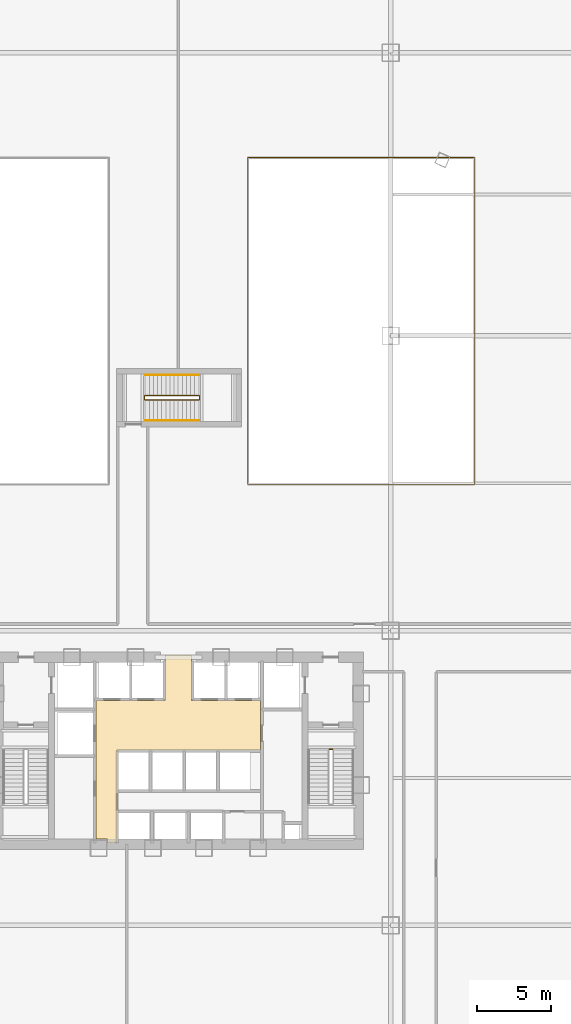
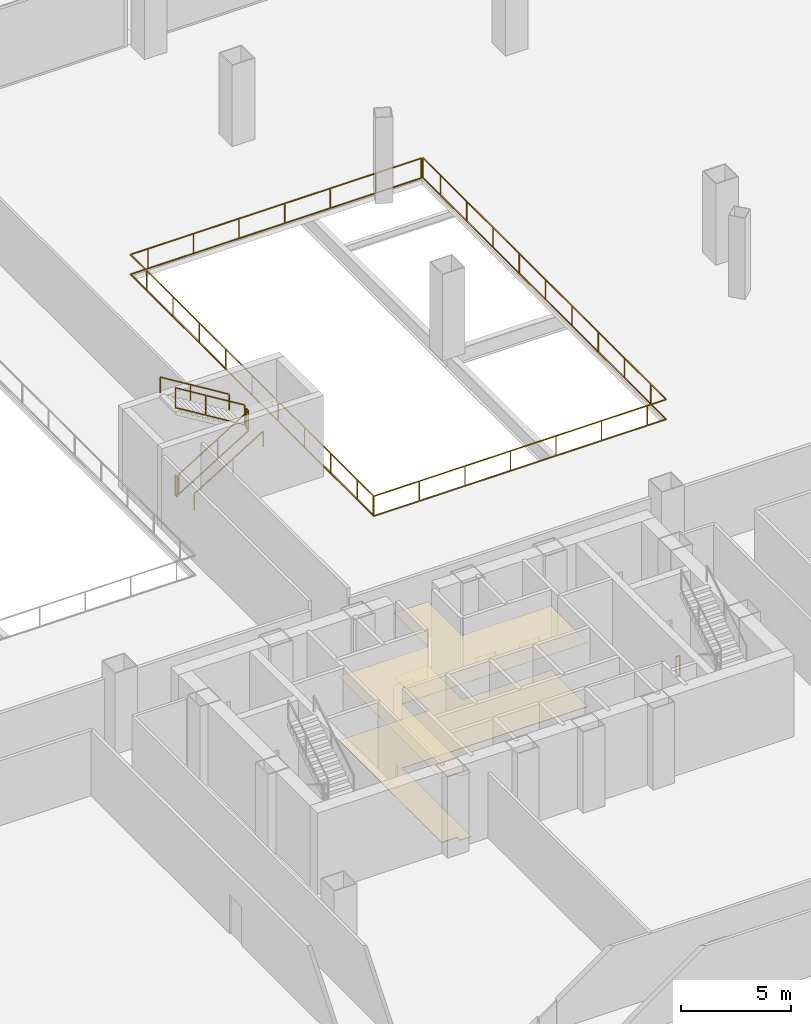
# One storey, part 40 of 42: 9 railings, 2 coverings.
"""IFC4 building model written with IfcOpenShell, lengths in metres."""

import ifcopenshell
import ifcopenshell.guid

model = None  # the IFC model being written
_history = None  # IfcOwnerHistory: only IFC2X3 demands one
_inside = {}  # id of a spatial element -> (the spatial element, [elements in it])
_under = {}  # id of a project, library or spatial element -> (it, [spatial elements below it])
_declared = {}  # id of a project -> (the project, [libraries it declares])
_typed = {}  # id of a type object -> (the type object, [elements of that type])
_made_of = {}  # id of a material, layer set ... -> (it, [elements and type objects made of it])


def new_model(schema):
    """Start an empty IFC model of exactly this schema.

    Asked for "IFC4X3", IfcOpenShell would pick the latest addendum, in which some entities
    have other attributes; the version numbers below select the first issue.
    IFC2X3 requires an IfcOwnerHistory on every rooted entity: one is made here for all.
    """
    global model, _history
    if schema == "IFC4X3":
        model = ifcopenshell.file(schema_version=(4, 3, 0, 0))
    else:
        model = ifcopenshell.file(schema=schema)
    _inside.clear()
    _under.clear()
    _declared.clear()
    _typed.clear()
    _made_of.clear()
    _history = None
    if model.schema == "IFC2X3":
        org = make("IfcOrganization", Name="unknown")
        user = make(
            "IfcPersonAndOrganization",
            ThePerson=make("IfcPerson", FamilyName="unknown"),
            TheOrganization=org,
        )
        app = make(
            "IfcApplication",
            ApplicationDeveloper=org,
            Version="unknown",
            ApplicationFullName="unknown",
            ApplicationIdentifier="unknown",
        )
        _history = make(
            "IfcOwnerHistory",
            OwningUser=user,
            OwningApplication=app,
            ChangeAction="ADDED",
            CreationDate=0,
        )
    return model


def make(cls, **values):
    """One entity of the class cls with the attributes given. An attribute that is None is left unset."""
    return model.create_entity(
        cls, **{name: value for name, value in values.items() if value is not None}
    )


def rooted(cls, **values):
    """An entity with a GlobalId (a new one), such as an element, a storey or a relation."""
    return make(cls, GlobalId=ifcopenshell.guid.new(), OwnerHistory=_history, **values)


def si_unit(unit_type, name, prefix=None):
    """IfcSIUnit, for example si_unit("LENGTHUNIT", "METRE", prefix="MILLI")."""
    return make("IfcSIUnit", UnitType=unit_type, Prefix=prefix, Name=name)


def assignment(units):
    """IfcUnitAssignment: the units of a project."""
    return None if units is None else make("IfcUnitAssignment", Units=units)


def point(xyz):
    """IfcCartesianPoint."""
    return None if xyz is None else make("IfcCartesianPoint", Coordinates=xyz)


def direction(xyz):
    """IfcDirection."""
    return None if xyz is None else make("IfcDirection", DirectionRatios=xyz)


def frame(location, z_axis=None, x_axis=None):
    """IfcAxis2Placement3D, a coordinate frame: its origin and axes. An axis left out is left unset."""
    return make(
        "IfcAxis2Placement3D",
        Location=point(location),
        Axis=direction(z_axis),
        RefDirection=direction(x_axis),
    )


def frame_2d(location, x_axis=None):
    """IfcAxis2Placement2D, a coordinate frame in the plane: its origin and x axis."""
    return make(
        "IfcAxis2Placement2D", Location=point(location), RefDirection=direction(x_axis)
    )


def origin():
    """The frame at (0, 0, 0) with its axes left unset."""
    return frame((0.0, 0.0, 0.0))


def origin_2d():
    """The frame at (0, 0) in the plane with its x axis left unset."""
    return frame_2d((0.0, 0.0))


def place(relative_to, where):
    """IfcLocalPlacement: puts the frame where relative to a parent placement (None: the world)."""
    return make(
        "IfcLocalPlacement", PlacementRelTo=relative_to, RelativePlacement=where
    )


def context(
    kind, dimensions, precision=None, world=None, true_north=None, identifier=None
):
    """IfcGeometricRepresentationContext, for example the 3D "Model" context."""
    return make(
        "IfcGeometricRepresentationContext",
        ContextIdentifier=identifier,
        ContextType=kind,
        CoordinateSpaceDimension=dimensions,
        Precision=precision,
        WorldCoordinateSystem=world,
        TrueNorth=true_north,
    )


def subcontext(parent, identifier, kind, view, scale=None):
    """IfcGeometricRepresentationSubContext, for example "Body" below "Model"."""
    return make(
        "IfcGeometricRepresentationSubContext",
        ContextIdentifier=identifier,
        ContextType=kind,
        ParentContext=parent,
        TargetScale=scale,
        TargetView=view,
    )


def project(units=None, contexts=None):
    """IfcProject with its units and contexts."""
    return rooted(
        "IfcProject",
        Name="project",
        RepresentationContexts=contexts,
        UnitsInContext=assignment(units),
    )


def spatial(cls, under=None, at=None, **own):
    """A site, building, storey or space (cls), placed at a placement, below another one or the project."""
    s = rooted(cls, ObjectPlacement=at, **own)
    if under is not None:
        _under.setdefault(under.id(), (under, []))[1].append(s)
    return s


def polyline(points):
    """IfcPolyline through the points."""
    return make("IfcPolyline", Points=[point(p) for p in points])


def profile(cls, at=None, kind="AREA", **sizes):
    """A parametric profile (cls). Its sizes go by their IFC names, for example OverallWidth=200.0."""
    return make(cls, ProfileType=kind, Position=at, **sizes)


def rectangle(**sizes):
    """IfcRectangleProfileDef."""
    return profile("IfcRectangleProfileDef", **sizes)


def outline(outer, holes=None, kind="AREA"):
    """IfcArbitraryClosedProfileDef: a profile drawn as a closed curve; with holes, ...WithVoids."""
    if holes is None:
        return make("IfcArbitraryClosedProfileDef", ProfileType=kind, OuterCurve=outer)
    return make(
        "IfcArbitraryProfileDefWithVoids",
        ProfileType=kind,
        OuterCurve=outer,
        InnerCurves=holes,
    )


def extrude(swept, where, along, depth):
    """IfcExtrudedAreaSolid: the profile swept, set in the frame where, extruded along a direction by depth."""
    return make(
        "IfcExtrudedAreaSolid",
        SweptArea=swept,
        Position=where,
        ExtrudedDirection=direction(along),
        Depth=depth,
    )


def shape(context_of_items, identifier, shape_type, items):
    """IfcShapeRepresentation: the items that make up one representation, for example the "Body"."""
    return make(
        "IfcShapeRepresentation",
        ContextOfItems=context_of_items,
        RepresentationIdentifier=identifier,
        RepresentationType=shape_type,
        Items=items,
    )


def material(Name=None, Category=None):
    """IfcMaterial."""
    return make("IfcMaterial", Name=Name, Category=Category)


def layer(
    of_material, thickness, ventilated=None, Name=None, Category=None, Priority=None
):
    """IfcMaterialLayer: one layer of a wall or slab, of a material (None: an air gap)."""
    return make(
        "IfcMaterialLayer",
        Material=of_material,
        LayerThickness=thickness,
        IsVentilated=ventilated,
        Name=Name,
        Category=Category,
        Priority=Priority,
    )


def layer_set(layers, Name=None):
    """IfcMaterialLayerSet."""
    return make("IfcMaterialLayerSet", MaterialLayers=layers, LayerSetName=Name)


def made_of(thing, what):
    """Note that an element or type object is made of a material, layer set ...; save() writes the relation."""
    if what is not None:
        _made_of.setdefault(what.id(), (what, []))[1].append(thing)
    return thing


def type_object(cls, material=None, **own):
    """A type object (cls), such as IfcWallType, which elements share."""
    return made_of(rooted(cls, **own), material)


def element(
    cls,
    number,
    at=None,
    inside=None,
    cuts=None,
    type_object=None,
    material=None,
    context=None,
    identifier="Body",
    shape_type=None,
    held_by="IfcProductDefinitionShape",
    body=None,
    shapes=None,
    **own,
):
    """One element of the class cls, such as IfcWall. Its Tag is "e" and its number.

    at: its placement. inside: the storey or other place that contains it. cuts: it is an
    opening in that element (IfcRelVoidsElement). A single representation is given by context,
    identifier, shape_type and body (its items); several are given by shapes. held_by: the class
    of the entity that holds the representations. save() writes the other relations.
    """
    e = rooted(cls, Tag="e%d" % number, ObjectPlacement=at, **own)
    if body is not None:
        shapes = [shape(context, identifier, shape_type, body)]
    if shapes is not None:
        e.Representation = make(held_by, Representations=shapes)
    if inside is not None:
        _inside.setdefault(inside.id(), (inside, []))[1].append(e)
    if cuts is not None:
        rooted(
            "IfcRelVoidsElement", RelatingBuildingElement=cuts, RelatedOpeningElement=e
        )
    if type_object is not None:
        _typed.setdefault(type_object.id(), (type_object, []))[1].append(e)
    return made_of(e, material)


def aggregate(whole, parts):
    """IfcRelAggregates: a whole, such as a stair, and the parts it consists of."""
    return rooted("IfcRelAggregates", RelatingObject=whole, RelatedObjects=parts)


def save(model, path):
    """Write the relations noted so far, then the file.

    IfcRelAggregates (storeys below a building ...), IfcRelContainedInSpatialStructure (elements
    in a storey), IfcRelDefinesByType, IfcRelAssociatesMaterial and IfcRelDeclares: one each for
    every whole, place, type object, material and project.
    """
    for whole, parts in _under.values():
        aggregate(whole, parts)
    for where, things in _inside.values():
        rooted(
            "IfcRelContainedInSpatialStructure",
            RelatedElements=things,
            RelatingStructure=where,
        )
    for kind, things in _typed.values():
        rooted("IfcRelDefinesByType", RelatedObjects=things, RelatingType=kind)
    for what, things in _made_of.values():
        rooted("IfcRelAssociatesMaterial", RelatedObjects=things, RelatingMaterial=what)
    for by, libraries in _declared.values():
        rooted("IfcRelDeclares", RelatingContext=by, RelatedDefinitions=libraries)
    model.write(path)


model = new_model("IFC4")

# Units and contexts
model_context = context("Model", 3, precision=1e-05, world=origin(), true_north=direction((0.0, 1.0)))
body_context = subcontext(model_context, "Body", "Model", "MODEL_VIEW")
ifc_project = project(units=[si_unit("LENGTHUNIT", "METRE"), si_unit("AREAUNIT", "SQUARE_METRE"), si_unit("VOLUMEUNIT", "CUBIC_METRE"), si_unit("PLANEANGLEUNIT", "RADIAN"), si_unit("MASSUNIT", "GRAM", prefix="KILO"), si_unit("THERMODYNAMICTEMPERATUREUNIT", "KELVIN"), si_unit("POWERUNIT", "WATT")], contexts=[model_context])

# Site, building, storey
site_placement = place(None, origin())
site = spatial("IfcSite", under=ifc_project, at=site_placement, CompositionType="ELEMENT")
building_placement = place(site_placement, origin())
building = spatial("IfcBuilding", under=site, at=building_placement, Name="Yunzhuo Pagoda Commons", CompositionType="ELEMENT")
storey_placement = place(building_placement, frame((0.0, 0.0, 4.800048828125)))
storey = spatial("IfcBuildingStorey", under=building, at=storey_placement, Name="L02", CompositionType="ELEMENT", Elevation=4.800048828125)

# Coverings
ifc_material_1 = material(Name="Mineral fibre acoustic ceiling board")
ifc_layer_1 = layer(ifc_material_1, 0.02490234375)
ifc_layer_set_1 = layer_set([ifc_layer_1], Name="Mineral fibre acoustic ceiling board")
covering_type_1 = type_object("IfcCoveringType", Name="COV-CL1 Ceiling 25", PredefinedType="CEILING", material=ifc_layer_set_1)
covering_1_placement = place(storey_placement, frame((0.0, 0.0, 3.570068359375)))
element("IfcCovering", 1, at=covering_1_placement, inside=storey, type_object=covering_type_1, Name="L02 lift lobby acoustic ceiling", PredefinedType="CEILING", context=body_context, shape_type="SweptSolid", body=[
    extrude(outline(polyline([(43.207763671875, 27.85009765625), (43.201904296875, 27.864013671875), (43.187744140625, 27.8701171875), (42.39990234375, 27.8701171875), (42.39990234375, 33.89990234375), (42.39990234375, 37.25), (47.10009765625, 37.25), (47.10009765625, 40.35009765625), (48.89990234375, 40.35009765625), (48.89990234375, 37.25), (53.580078125, 37.25), (53.580078125, 33.89990234375), (43.820068359375, 33.89990234375), (43.820068359375, 27.60009765625), (43.207763671875, 27.60009765625), (43.207763671875, 27.85009765625)])), origin(), (0.0, 0.0, 1.0), 0.02490234375),
])
ifc_material_2 = material(Name="Terrazzo stone lobby flooring", Category="masonry")
ifc_layer_2 = layer(ifc_material_2, 0.02392578125)
ifc_layer_set_2 = layer_set([ifc_layer_2], Name="Terrazzo stone lobby flooring")
covering_type_2 = type_object("IfcCoveringType", Name="COV-FL2 Flooring 24", PredefinedType="FLOORING", material=ifc_layer_set_2)
covering_2_placement = place(storey_placement, origin())
element("IfcCovering", 2, at=covering_2_placement, inside=storey, type_object=covering_type_2, Name="L02 lift lobby flooring", PredefinedType="FLOORING", context=body_context, shape_type="SweptSolid", body=[
    extrude(outline(polyline([(43.207763671875, 27.85009765625), (43.201904296875, 27.864013671875), (43.187744140625, 27.8701171875), (42.39990234375, 27.8701171875), (42.39990234375, 33.89990234375), (42.39990234375, 37.25), (47.10009765625, 37.25), (47.10009765625, 40.35009765625), (48.89990234375, 40.35009765625), (48.89990234375, 37.25), (53.580078125, 37.25), (53.580078125, 33.89990234375), (43.820068359375, 33.89990234375), (43.820068359375, 27.60009765625), (43.207763671875, 27.60009765625), (43.207763671875, 27.85009765625)])), origin(), (0.0, 0.0, 1.0), 0.02392578125),
])

# Railings
ifc_material_3 = material(Name="Anodized aluminium 6063-T6", Category="aluminium")
railing_type_1 = type_object("IfcRailingType", Name="GR-ST2 Stair Well Guardrail 1160", PredefinedType="GUARDRAIL", material=ifc_material_3)
railing_1_placement = place(storey_placement, frame((58.25, 33.949951171875, 0.0)))
element("IfcRailing", 3, at=railing_1_placement, inside=storey, type_object=railing_type_1, Name="L02 ST2 stair guard 4", PredefinedType="GUARDRAIL", context=body_context, shape_type="SweptSolid", body=[
    extrude(rectangle(XDim=0.048095703125, YDim=0.048095703125, at=origin_2d()), frame((0.0, 0.0, 1.1259765625), z_axis=(1.0, 0.0, 0.0), x_axis=(0.0, 1.0, 0.0)), (0.0, 0.0, 1.0), 0.199951171875),
    extrude(rectangle(XDim=0.048095703125, YDim=0.048095703125, at=origin_2d()), frame((0.0, 0.0, 0.02392578125), z_axis=(1.0, 0.0, 0.0), x_axis=(0.0, 1.0, 0.0)), (0.0, 0.0, 1.0), 0.199951171875),
    extrude(rectangle(XDim=0.0419921875, YDim=0.0419921875, at=origin_2d()), origin(), (0.0, 0.0, 1.0), 1.101806640625),
    extrude(rectangle(XDim=0.0419921875, YDim=0.0419921875, at=origin_2d()), frame((0.199951171875, 0.0, 0.0)), (0.0, 0.0, 1.0), 1.101806640625),
])
railing_type_2 = type_object("IfcRailingType", Name="GR-ST3 North Well Guardrail 1155", PredefinedType="GUARDRAIL", material=ifc_material_3)
railing_2_placement = place(storey_placement, frame((45.75, 57.64990234375, 0.17138671875)))
element("IfcRailing", 4, at=railing_2_placement, inside=storey, type_object=railing_type_2, Name="L02 ST3 stair guard 1", PredefinedType="GUARDRAIL", context=body_context, shape_type="SweptSolid", body=[
    extrude(rectangle(XDim=0.048095703125, YDim=0.048095703125, at=origin_2d()), frame((0.0, 0.0, 1.1259765625), z_axis=(0.852850264322, 0.0, 0.5221555579), x_axis=(0.0, 1.0, 0.0)), (0.0, 0.0, 1.0), 4.267822265625),
    extrude(rectangle(XDim=0.048095703125, YDim=0.048095703125, at=origin_2d()), frame((0.0, 0.0, 0.02392578125), z_axis=(0.852850264322, 0.0, 0.5221555579), x_axis=(0.0, 1.0, 0.0)), (0.0, 0.0, 1.0), 4.267822265625),
    extrude(rectangle(XDim=0.0419921875, YDim=0.0419921875, at=origin_2d()), origin(), (0.0, 0.0, 1.0), 1.101806640625),
    extrude(rectangle(XDim=0.0419921875, YDim=0.0419921875, at=origin_2d()), frame((2.046875, 0.0, 1.253173828125)), (0.0, 0.0, 1.0), 1.101806640625),
    extrude(rectangle(XDim=0.0419921875, YDim=0.0419921875, at=origin_2d()), frame((3.639892578125, 0.0, 2.228515625)), (0.0, 0.0, 1.0), 1.101806640625),
])
railing_3_placement = place(storey_placement, frame((49.43994140625, 57.699951171875, 2.39990234375)))
element("IfcRailing", 5, at=railing_3_placement, inside=storey, type_object=railing_type_2, Name="L02 ST3 stair guard 2", PredefinedType="GUARDRAIL", context=body_context, shape_type="SweptSolid", body=[
    extrude(rectangle(XDim=0.048095703125, YDim=0.048095703125, at=origin_2d()), frame((0.0, 0.0, 1.1259765625), z_axis=(0.0, 1.0, 0.0), x_axis=(-1.0, 0.0, 0.0)), (0.0, 0.0, 1.0), 0.199951171875),
    extrude(rectangle(XDim=0.048095703125, YDim=0.048095703125, at=origin_2d()), frame((0.0, 0.0, 0.02392578125), z_axis=(0.0, 1.0, 0.0), x_axis=(-1.0, 0.0, 0.0)), (0.0, 0.0, 1.0), 0.199951171875),
    extrude(rectangle(XDim=0.0419921875, YDim=0.0419921875, at=origin_2d()), origin(), (0.0, 0.0, 1.0), 1.101806640625),
    extrude(rectangle(XDim=0.0419921875, YDim=0.0419921875, at=origin_2d()), frame((0.0, 0.199951171875, 0.0)), (0.0, 0.0, 1.0), 1.101806640625),
])
railing_4_placement = place(storey_placement, frame((49.389892578125, 57.949951171875, 2.5712890625)))
element("IfcRailing", 6, at=railing_4_placement, inside=storey, type_object=railing_type_2, Name="L02 ST3 stair guard 3", PredefinedType="GUARDRAIL", context=body_context, shape_type="SweptSolid", body=[
    extrude(rectangle(XDim=0.048095703125, YDim=0.048095703125, at=origin_2d()), frame((0.0, 0.0, 1.1259765625), z_axis=(-0.852824790078, 0.0, 0.522197163366), x_axis=(0.0, -1.0, 0.0)), (0.0, 0.0, 1.0), 4.26806640625),
    extrude(rectangle(XDim=0.048095703125, YDim=0.048095703125, at=origin_2d()), frame((0.0, 0.0, 0.02392578125), z_axis=(-0.852824790078, 0.0, 0.522197163366), x_axis=(0.0, -1.0, 0.0)), (0.0, 0.0, 1.0), 4.26806640625),
    extrude(rectangle(XDim=0.0419921875, YDim=0.0419921875, at=origin_2d()), origin(), (0.0, 0.0, 1.0), 1.101806640625),
    extrude(rectangle(XDim=0.0419921875, YDim=0.0419921875, at=origin_2d()), frame((-2.046875, 0.0, 1.253173828125)), (0.0, 0.0, 1.0), 1.101806640625),
    extrude(rectangle(XDim=0.0419921875, YDim=0.0419921875, at=origin_2d()), frame((-3.639892578125, 0.0, 2.228759765625)), (0.0, 0.0, 1.0), 1.101806640625),
])
railing_5_placement = place(storey_placement, frame((45.699951171875, 57.699951171875, 0.0)))
element("IfcRailing", 7, at=railing_5_placement, inside=storey, type_object=railing_type_2, Name="L02 ST3 stair guard 4", PredefinedType="GUARDRAIL", context=body_context, shape_type="SweptSolid", body=[
    extrude(rectangle(XDim=0.048095703125, YDim=0.048095703125, at=origin_2d()), frame((0.0, 0.0, 1.1259765625), z_axis=(0.0, 1.0, 0.0), x_axis=(-1.0, 0.0, 0.0)), (0.0, 0.0, 1.0), 0.199951171875),
    extrude(rectangle(XDim=0.048095703125, YDim=0.048095703125, at=origin_2d()), frame((0.0, 0.0, 0.02392578125), z_axis=(0.0, 1.0, 0.0), x_axis=(-1.0, 0.0, 0.0)), (0.0, 0.0, 1.0), 0.199951171875),
    extrude(rectangle(XDim=0.0419921875, YDim=0.0419921875, at=origin_2d()), origin(), (0.0, 0.0, 1.0), 1.101806640625),
    extrude(rectangle(XDim=0.0419921875, YDim=0.0419921875, at=origin_2d()), frame((0.0, 0.199951171875, 0.0)), (0.0, 0.0, 1.0), 1.101806640625),
])
railing_type_3 = type_object("IfcRailingType", Name="HR-ST3 North Stair Handrail 900", PredefinedType="HANDRAIL", material=ifc_material_3)
railing_6_placement = place(storey_placement, frame((45.75, 56.25, 0.17138671875)))
element("IfcRailing", 8, at=railing_6_placement, inside=storey, type_object=railing_type_3, Name="L02 ST3 stair handrail 1", PredefinedType="HANDRAIL", context=body_context, shape_type="SweptSolid", body=[
    extrude(rectangle(XDim=0.048095703125, YDim=0.048095703125, at=origin_2d()), frame((0.0, 0.0, 0.8759765625), z_axis=(0.852850264322, 0.0, 0.5221555579), x_axis=(0.0, 1.0, 0.0)), (0.0, 0.0, 1.0), 4.267822265625),
    extrude(rectangle(XDim=0.0419921875, YDim=0.0419921875, at=origin_2d()), origin(), (0.0, 0.0, 1.0), 0.851806640625),
    extrude(rectangle(XDim=0.0419921875, YDim=0.0419921875, at=origin_2d()), frame((2.046875, 0.0, 1.253173828125)), (0.0, 0.0, 1.0), 0.851806640625),
    extrude(rectangle(XDim=0.0419921875, YDim=0.0419921875, at=origin_2d()), frame((3.639892578125, 0.0, 2.228515625)), (0.0, 0.0, 1.0), 0.851806640625),
])
railing_7_placement = place(storey_placement, frame((49.389892578125, 59.35009765625, 2.5712890625)))
element("IfcRailing", 9, at=railing_7_placement, inside=storey, type_object=railing_type_3, Name="L02 ST3 stair handrail 2", PredefinedType="HANDRAIL", context=body_context, shape_type="SweptSolid", body=[
    extrude(rectangle(XDim=0.048095703125, YDim=0.048095703125, at=origin_2d()), frame((0.0, 0.0, 0.8759765625), z_axis=(-0.852824790078, 0.0, 0.522197163366), x_axis=(0.0, -1.0, 0.0)), (0.0, 0.0, 1.0), 4.26806640625),
    extrude(rectangle(XDim=0.0419921875, YDim=0.0419921875, at=origin_2d()), origin(), (0.0, 0.0, 1.0), 0.851806640625),
    extrude(rectangle(XDim=0.0419921875, YDim=0.0419921875, at=origin_2d()), frame((-2.046875, 0.0, 1.253173828125)), (0.0, 0.0, 1.0), 0.851806640625),
    extrude(rectangle(XDim=0.0419921875, YDim=0.0419921875, at=origin_2d()), frame((-3.639892578125, 0.0, 2.228759765625)), (0.0, 0.0, 1.0), 0.851806640625),
])
railing_type_4 = type_object("IfcRailingType", Name="RL-ATR1 Interior Atrium Gallery Balustrade 1150", PredefinedType="BALUSTRADE", material=ifc_material_3)
railing_8_placement = place(storey_placement, frame((52.699951171875, 51.89990234375, 0.0)))
element("IfcRailing", 10, at=railing_8_placement, inside=storey, type_object=railing_type_4, Name="L02 concourse atrium balustrade EA", PredefinedType="BALUSTRADE", context=body_context, shape_type="SweptSolid", body=[
    extrude(rectangle(XDim=0.048095703125, YDim=0.048095703125, at=origin_2d()), frame((0.0, 0.0, 1.1259765625), z_axis=(1.0, 0.0, 0.0), x_axis=(0.0, 1.0, 0.0)), (0.0, 0.0, 1.0), 15.400146484375),
    extrude(rectangle(XDim=0.048095703125, YDim=0.048095703125, at=origin_2d()), frame((0.0, 0.0, 0.02392578125), z_axis=(1.0, 0.0, 0.0), x_axis=(0.0, 1.0, 0.0)), (0.0, 0.0, 1.0), 15.400146484375),
    extrude(rectangle(XDim=0.048095703125, YDim=0.048095703125, at=origin_2d()), frame((15.400146484375, 0.0, 1.1259765625), z_axis=(0.0, 1.0, 0.0), x_axis=(-1.0, 0.0, 0.0)), (0.0, 0.0, 1.0), 22.2001953125),
    extrude(rectangle(XDim=0.048095703125, YDim=0.048095703125, at=origin_2d()), frame((15.400146484375, 0.0, 0.02392578125), z_axis=(0.0, 1.0, 0.0), x_axis=(-1.0, 0.0, 0.0)), (0.0, 0.0, 1.0), 22.2001953125),
    extrude(rectangle(XDim=0.0419921875, YDim=0.0419921875, at=origin_2d()), origin(), (0.0, 0.0, 1.0), 1.101806640625),
    extrude(rectangle(XDim=0.0419921875, YDim=0.0419921875, at=origin_2d()), frame((2.39990234375, 0.0, 0.0)), (0.0, 0.0, 1.0), 1.101806640625),
    extrude(rectangle(XDim=0.0419921875, YDim=0.0419921875, at=origin_2d()), frame((4.800048828125, 0.0, 0.0)), (0.0, 0.0, 1.0), 1.101806640625),
    extrude(rectangle(XDim=0.0419921875, YDim=0.0419921875, at=origin_2d()), frame((7.199951171875, 0.0, 0.0)), (0.0, 0.0, 1.0), 1.101806640625),
    extrude(rectangle(XDim=0.0419921875, YDim=0.0419921875, at=origin_2d()), frame((9.60009765625, 0.0, 0.0)), (0.0, 0.0, 1.0), 1.101806640625),
    extrude(rectangle(XDim=0.0419921875, YDim=0.0419921875, at=origin_2d()), frame((12.0, 0.0, 0.0)), (0.0, 0.0, 1.0), 1.101806640625),
    extrude(rectangle(XDim=0.0419921875, YDim=0.0419921875, at=origin_2d()), frame((14.39990234375, 0.0, 0.0)), (0.0, 0.0, 1.0), 1.101806640625),
    extrude(rectangle(XDim=0.0419921875, YDim=0.0419921875, at=origin_2d()), frame((15.400146484375, 1.39990234375, 0.0)), (0.0, 0.0, 1.0), 1.101806640625),
    extrude(rectangle(XDim=0.0419921875, YDim=0.0419921875, at=origin_2d()), frame((15.400146484375, 3.7998046875, 0.0)), (0.0, 0.0, 1.0), 1.101806640625),
    extrude(rectangle(XDim=0.0419921875, YDim=0.0419921875, at=origin_2d()), frame((15.400146484375, 6.199951171875, 0.0)), (0.0, 0.0, 1.0), 1.101806640625),
    extrude(rectangle(XDim=0.0419921875, YDim=0.0419921875, at=origin_2d()), frame((15.400146484375, 8.599853515625, 0.0)), (0.0, 0.0, 1.0), 1.101806640625),
    extrude(rectangle(XDim=0.0419921875, YDim=0.0419921875, at=origin_2d()), frame((15.400146484375, 10.999755859375, 0.0)), (0.0, 0.0, 1.0), 1.101806640625),
    extrude(rectangle(XDim=0.0419921875, YDim=0.0419921875, at=origin_2d()), frame((15.400146484375, 13.39990234375, 0.0)), (0.0, 0.0, 1.0), 1.101806640625),
    extrude(rectangle(XDim=0.0419921875, YDim=0.0419921875, at=origin_2d()), frame((15.400146484375, 15.7998046875, 0.0)), (0.0, 0.0, 1.0), 1.101806640625),
    extrude(rectangle(XDim=0.0419921875, YDim=0.0419921875, at=origin_2d()), frame((15.400146484375, 18.199951171875, 0.0)), (0.0, 0.0, 1.0), 1.101806640625),
    extrude(rectangle(XDim=0.0419921875, YDim=0.0419921875, at=origin_2d()), frame((15.400146484375, 20.599853515625, 0.0)), (0.0, 0.0, 1.0), 1.101806640625),
    extrude(rectangle(XDim=0.0419921875, YDim=0.0419921875, at=origin_2d()), frame((15.400146484375, 22.2001953125, 0.0)), (0.0, 0.0, 1.0), 1.101806640625),
])
railing_9_placement = place(storey_placement, frame((68.02001953125, 74.10009765625, 0.0)))
element("IfcRailing", 11, at=railing_9_placement, inside=storey, type_object=railing_type_4, Name="L02 concourse atrium balustrade EB", PredefinedType="BALUSTRADE", context=body_context, shape_type="SweptSolid", body=[
    extrude(rectangle(XDim=0.048095703125, YDim=0.048095703125, at=origin_2d()), frame((0.0, 0.0, 1.1259765625), z_axis=(-1.0, 0.0, 0.0), x_axis=(0.0, -1.0, 0.0)), (0.0, 0.0, 1.0), 15.320068359375),
    extrude(rectangle(XDim=0.048095703125, YDim=0.048095703125, at=origin_2d()), frame((0.0, 0.0, 0.02392578125), z_axis=(-1.0, 0.0, 0.0), x_axis=(0.0, -1.0, 0.0)), (0.0, 0.0, 1.0), 15.320068359375),
    extrude(rectangle(XDim=0.048095703125, YDim=0.048095703125, at=origin_2d()), frame((-15.320068359375, 0.0, 1.1259765625), z_axis=(0.0, -1.0, 0.0), x_axis=(1.0, 0.0, 0.0)), (0.0, 0.0, 1.0), 22.1201171875),
    extrude(rectangle(XDim=0.048095703125, YDim=0.048095703125, at=origin_2d()), frame((-15.320068359375, 0.0, 0.02392578125), z_axis=(0.0, -1.0, 0.0), x_axis=(1.0, 0.0, 0.0)), (0.0, 0.0, 1.0), 22.1201171875),
    extrude(rectangle(XDim=0.0419921875, YDim=0.0419921875, at=origin_2d()), origin(), (0.0, 0.0, 1.0), 1.101806640625),
    extrude(rectangle(XDim=0.0419921875, YDim=0.0419921875, at=origin_2d()), frame((-2.39990234375, 0.0, 0.0)), (0.0, 0.0, 1.0), 1.101806640625),
    extrude(rectangle(XDim=0.0419921875, YDim=0.0419921875, at=origin_2d()), frame((-4.800048828125, 0.0, 0.0)), (0.0, 0.0, 1.0), 1.101806640625),
    extrude(rectangle(XDim=0.0419921875, YDim=0.0419921875, at=origin_2d()), frame((-7.199951171875, 0.0, 0.0)), (0.0, 0.0, 1.0), 1.101806640625),
    extrude(rectangle(XDim=0.0419921875, YDim=0.0419921875, at=origin_2d()), frame((-9.60009765625, 0.0, 0.0)), (0.0, 0.0, 1.0), 1.101806640625),
    extrude(rectangle(XDim=0.0419921875, YDim=0.0419921875, at=origin_2d()), frame((-12.0, 0.0, 0.0)), (0.0, 0.0, 1.0), 1.101806640625),
    extrude(rectangle(XDim=0.0419921875, YDim=0.0419921875, at=origin_2d()), frame((-14.39990234375, 0.0, 0.0)), (0.0, 0.0, 1.0), 1.101806640625),
    extrude(rectangle(XDim=0.0419921875, YDim=0.0419921875, at=origin_2d()), frame((-15.320068359375, -1.47998046875, 0.0)), (0.0, 0.0, 1.0), 1.101806640625),
    extrude(rectangle(XDim=0.0419921875, YDim=0.0419921875, at=origin_2d()), frame((-15.320068359375, -3.8798828125, 0.0)), (0.0, 0.0, 1.0), 1.101806640625),
    extrude(rectangle(XDim=0.0419921875, YDim=0.0419921875, at=origin_2d()), frame((-15.320068359375, -6.280029296875, 0.0)), (0.0, 0.0, 1.0), 1.101806640625),
    extrude(rectangle(XDim=0.0419921875, YDim=0.0419921875, at=origin_2d()), frame((-15.320068359375, -8.679931640625, 0.0)), (0.0, 0.0, 1.0), 1.101806640625),
    extrude(rectangle(XDim=0.0419921875, YDim=0.0419921875, at=origin_2d()), frame((-15.320068359375, -11.079833984375, 0.0)), (0.0, 0.0, 1.0), 1.101806640625),
    extrude(rectangle(XDim=0.0419921875, YDim=0.0419921875, at=origin_2d()), frame((-15.320068359375, -13.47998046875, 0.0)), (0.0, 0.0, 1.0), 1.101806640625),
    extrude(rectangle(XDim=0.0419921875, YDim=0.0419921875, at=origin_2d()), frame((-15.320068359375, -15.8798828125, 0.0)), (0.0, 0.0, 1.0), 1.101806640625),
    extrude(rectangle(XDim=0.0419921875, YDim=0.0419921875, at=origin_2d()), frame((-15.320068359375, -18.280029296875, 0.0)), (0.0, 0.0, 1.0), 1.101806640625),
    extrude(rectangle(XDim=0.0419921875, YDim=0.0419921875, at=origin_2d()), frame((-15.320068359375, -20.679931640625, 0.0)), (0.0, 0.0, 1.0), 1.101806640625),
    extrude(rectangle(XDim=0.0419921875, YDim=0.0419921875, at=origin_2d()), frame((-15.320068359375, -22.1201171875, 0.0)), (0.0, 0.0, 1.0), 1.101806640625),
])

save(model, "model.ifc")
